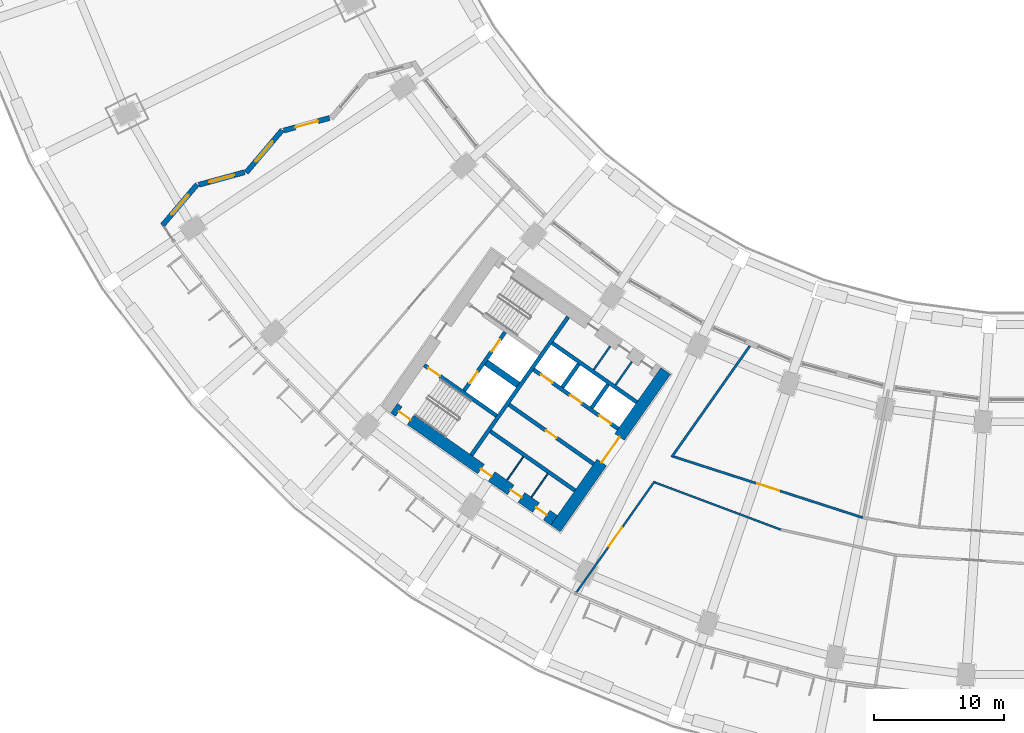
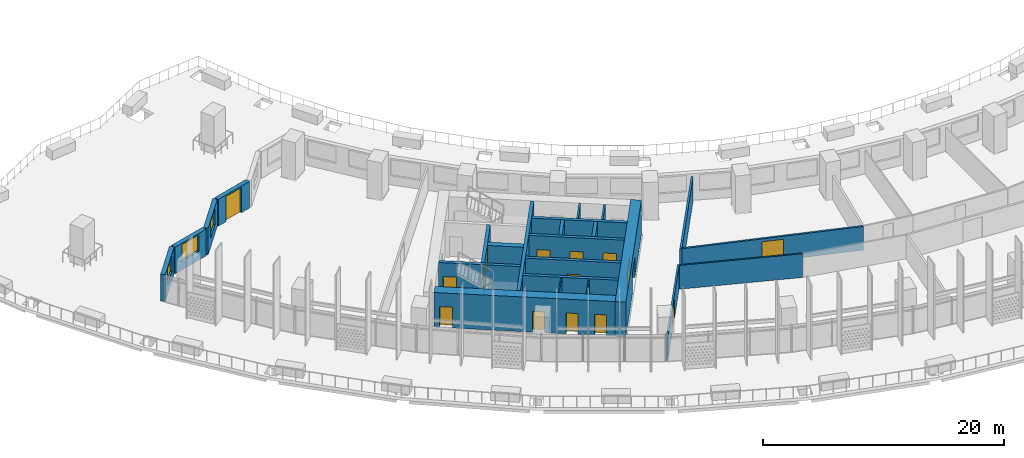
# One storey, part 4 of 35: 24 walls, 15 doors, 3 windows, 18 openings.
"""IFC4 building model written with IfcOpenShell, lengths in metres."""

from ifc_helpers import new_model, si_unit, direction, frame, frame_2d, origin, place, context, subcontext, project, spatial, rectangle, extrude, material, layer, layer_set, type_object, element, fill, save


model = new_model("IFC4")

# Units and contexts
model_context = context("Model", 3, precision=1e-05, world=origin(), true_north=direction((0.0, 1.0)))
body_context = subcontext(model_context, "Body", "Model", "MODEL_VIEW")
ifc_project = project(units=[si_unit("LENGTHUNIT", "METRE"), si_unit("AREAUNIT", "SQUARE_METRE"), si_unit("VOLUMEUNIT", "CUBIC_METRE"), si_unit("PLANEANGLEUNIT", "RADIAN"), si_unit("MASSUNIT", "GRAM", prefix="KILO")], contexts=[model_context])

# Site, building, storey
site_placement = place(None, origin())
site = spatial("IfcSite", under=ifc_project, at=site_placement, CompositionType="ELEMENT")
building_placement = place(site_placement, origin())
building = spatial("IfcBuilding", under=site, at=building_placement, Name="Qamariyya Broadcast Tower", CompositionType="ELEMENT")
storey_placement = place(building_placement, frame((0.0, 0.0, 40.5)))
storey = spatial("IfcBuildingStorey", under=building, at=storey_placement, Name="L06", CompositionType="ELEMENT", Elevation=40.5)

# Wall, opening, door
ifc_material_1 = material(Name="Concrete C70/85", Category="concrete")
ifc_layer_1 = layer(ifc_material_1, 0.89990234375)
ifc_layer_set_1 = layer_set([ifc_layer_1], Name="Core wall 900 mm Concrete C70/85")
wall_type_1 = type_object("IfcWallType", Name="Core wall 900 mm Concrete C70/85", PredefinedType="SHEAR", material=ifc_layer_set_1)
wall_1_placement = place(storey_placement, frame((-36.716796875, -66.3369140625, 0.0), z_axis=(0.0, 0.0, 1.0), x_axis=(0.573577477574, 0.819151315216, 0.0)))
wall_1 = element("IfcWall", 1, at=wall_1_placement, inside=storey, type_object=wall_type_1, Name="k-W-L06-WA", PredefinedType="SHEAR", context=body_context, shape_type="SweptSolid", body=[
    extrude(rectangle(XDim=14.800048828125, YDim=0.89990234375, at=frame_2d((7.39990234375, 0.0))), origin(), (0.0, 0.0, 1.0), 3.5),
])
opening_1_placement = place(wall_1_placement, frame((6.199951171875, 0.0, 0.0)))
opening_1 = element("IfcOpeningElement", 2, at=opening_1_placement, cuts=wall_1, Name="Opening KD3-W1", PredefinedType="OPENING", context=body_context, shape_type="SweptSolid", body=[
    extrude(rectangle(XDim=2.39990234375, YDim=2.10009765625, at=frame_2d((1.199951171875, 1.050048828125))), frame((0.0, 0.4599609375, 0.0), z_axis=(0.0, -1.0, 0.0), x_axis=(1.0, 0.0, 0.0)), (0.0, 0.0, 1.0), 0.919921875),
])
ifc_material_2 = material(Name="Steel fire-resisting door leaf", Category="steel")
door_type_1 = type_object("IfcDoorType", Name="Lift lobby door KD3", OperationType="DOUBLE_DOOR_SINGLE_SWING", PredefinedType="DOOR", material=ifc_material_2)
door_1_placement = place(opening_1_placement, origin())
door_1 = element("IfcDoor", 3, at=door_1_placement, inside=storey, type_object=door_type_1, Name="k-W-L06-WA-D1", OperationType="DOUBLE_DOOR_SINGLE_SWING", OverallHeight=2.10009765625, OverallWidth=2.39990234375, PredefinedType="DOOR", context=body_context, shape_type="SweptSolid", body=[
    extrude(rectangle(XDim=2.39990234375, YDim=2.10009765625, at=frame_2d((1.199951171875, 1.050048828125))), frame((0.0, 0.02490234375, 0.0), z_axis=(0.0, -1.0, 0.0), x_axis=(1.0, 0.0, 0.0)), (0.0, 0.0, 1.0), 0.050048828125),
])
fill(opening_1, door_1)

# Wall, openings, doors
wall_2_placement = place(storey_placement, frame((-36.827392578125, -65.710205078125, 0.0), z_axis=(0.0, 0.0, 1.0), x_axis=(-0.819153391756, 0.573574511963, 0.0)))
wall_2 = element("IfcWall", 4, at=wall_2_placement, inside=storey, type_object=wall_type_1, Name="k-W-L06-WO", PredefinedType="SHEAR", context=body_context, shape_type="SweptSolid", body=[
    extrude(rectangle(XDim=15.04541015625, YDim=0.89990234375, at=frame_2d((7.522705078125, 0.0))), origin(), (0.0, 0.0, 1.0), 3.5),
])
opening_2_placement = place(wall_2_placement, frame((0.699951171875, 0.0, 0.0)))
opening_2 = element("IfcOpeningElement", 5, at=opening_2_placement, cuts=wall_2, Name="Opening KD6-W3", PredefinedType="OPENING", context=body_context, shape_type="SweptSolid", body=[
    extrude(rectangle(XDim=1.0, YDim=2.10009765625, at=frame_2d((0.5, 1.050048828125))), frame((0.0, 0.4599609375, 0.0), z_axis=(0.0, -1.0, 0.0), x_axis=(1.0, 0.0, 0.0)), (0.0, 0.0, 1.0), 0.919921875),
])
opening_3_placement = place(wall_2_placement, frame((3.074951171875, 0.0, 0.0)))
opening_3 = element("IfcOpeningElement", 6, at=opening_3_placement, cuts=wall_2, Name="Opening KD4-W1", PredefinedType="OPENING", context=body_context, shape_type="SweptSolid", body=[
    extrude(rectangle(XDim=1.0, YDim=2.10009765625, at=frame_2d((0.5, 1.050048828125))), frame((0.0, 0.4599609375, 0.0), z_axis=(0.0, -1.0, 0.0), x_axis=(1.0, 0.0, 0.0)), (0.0, 0.0, 1.0), 0.919921875),
])
opening_4_placement = place(wall_2_placement, frame((5.875, 0.0, 0.0)))
opening_4 = element("IfcOpeningElement", 7, at=opening_4_placement, cuts=wall_2, Name="Opening KD4-W2", PredefinedType="OPENING", context=body_context, shape_type="SweptSolid", body=[
    extrude(rectangle(XDim=1.0, YDim=2.10009765625, at=frame_2d((0.5, 1.050048828125))), frame((0.0, 0.4599609375, 0.0), z_axis=(0.0, -1.0, 0.0), x_axis=(1.0, 0.0, 0.0)), (0.0, 0.0, 1.0), 0.919921875),
])
opening_5_placement = place(wall_2_placement, frame((13.495361328125, 0.0, 0.0)))
opening_5 = element("IfcOpeningElement", 8, at=opening_5_placement, cuts=wall_2, Name="Opening KD1-W3", PredefinedType="OPENING", context=body_context, shape_type="SweptSolid", body=[
    extrude(rectangle(XDim=1.10009765625, YDim=2.10009765625, at=frame_2d((0.550048828125, 1.050048828125))), frame((0.0, 0.4599609375, 0.0), z_axis=(0.0, -1.0, 0.0), x_axis=(1.0, 0.0, 0.0)), (0.0, 0.0, 1.0), 0.919921875),
])
door_type_2 = type_object("IfcDoorType", Name="Core room door KD6", OperationType="SINGLE_SWING_LEFT", PredefinedType="DOOR", material=ifc_material_2)
door_2_placement = place(opening_2_placement, origin())
door_2 = element("IfcDoor", 9, at=door_2_placement, inside=storey, type_object=door_type_2, Name="k-W-L06-WO-D9", OperationType="SINGLE_SWING_RIGHT", OverallHeight=2.10009765625, OverallWidth=1.0, PredefinedType="DOOR", context=body_context, shape_type="SweptSolid", body=[
    extrude(rectangle(XDim=1.0, YDim=2.10009765625, at=frame_2d((0.5, 1.050048828125))), frame((0.0, 0.02490234375, 0.0), z_axis=(0.0, -1.0, 0.0), x_axis=(1.0, 0.0, 0.0)), (0.0, 0.0, 1.0), 0.050048828125),
])
fill(opening_2, door_2)
door_type_3 = type_object("IfcDoorType", Name="Riser and plant door KD4", OperationType="SINGLE_SWING_LEFT", PredefinedType="DOOR", material=ifc_material_2)
door_3_placement = place(opening_3_placement, origin())
door_3 = element("IfcDoor", 10, at=door_3_placement, inside=storey, type_object=door_type_3, Name="k-W-L06-WO-D10", OperationType="SINGLE_SWING_LEFT", OverallHeight=2.10009765625, OverallWidth=1.0, PredefinedType="DOOR", context=body_context, shape_type="SweptSolid", body=[
    extrude(rectangle(XDim=1.0, YDim=2.10009765625, at=frame_2d((0.5, 1.050048828125))), frame((0.0, 0.02490234375, 0.0), z_axis=(0.0, -1.0, 0.0), x_axis=(1.0, 0.0, 0.0)), (0.0, 0.0, 1.0), 0.050048828125),
])
fill(opening_3, door_3)
door_4_placement = place(opening_4_placement, origin())
door_4 = element("IfcDoor", 11, at=door_4_placement, inside=storey, type_object=door_type_3, Name="k-W-L06-WO-D11", OperationType="SINGLE_SWING_RIGHT", OverallHeight=2.10009765625, OverallWidth=1.0, PredefinedType="DOOR", context=body_context, shape_type="SweptSolid", body=[
    extrude(rectangle(XDim=1.0, YDim=2.10009765625, at=frame_2d((0.5, 1.050048828125))), frame((0.0, 0.02490234375, 0.0), z_axis=(0.0, -1.0, 0.0), x_axis=(1.0, 0.0, 0.0)), (0.0, 0.0, 1.0), 0.050048828125),
])
fill(opening_4, door_4)
door_type_4 = type_object("IfcDoorType", Name="Stair door KD1", OperationType="SINGLE_SWING_LEFT", PredefinedType="DOOR", material=ifc_material_2)
door_5_placement = place(opening_5_placement, origin())
door_5 = element("IfcDoor", 12, at=door_5_placement, inside=storey, type_object=door_type_4, Name="k-W-L06-WO-D17", OperationType="SINGLE_SWING_LEFT", OverallHeight=2.10009765625, OverallWidth=1.10009765625, PredefinedType="DOOR", context=body_context, shape_type="SweptSolid", body=[
    extrude(rectangle(XDim=1.10009765625, YDim=2.10009765625, at=frame_2d((0.550048828125, 1.050048828125))), frame((0.0, 0.02490234375, 0.0), z_axis=(0.0, -1.0, 0.0), x_axis=(1.0, 0.0, 0.0)), (0.0, 0.0, 1.0), 0.050048828125),
])
fill(opening_5, door_5)

# Wall, opening, door
ifc_material_3 = material(Name="Gypsum board partition")
ifc_layer_2 = layer(ifc_material_3, 0.14990234375)
ifc_layer_set_2 = layer_set([ifc_layer_2], Name="Corridor partition 150 EI 60")
wall_type_2 = type_object("IfcWallType", Name="Corridor partition 150 EI 60", PredefinedType="PARTITIONING", material=ifc_layer_set_2)
wall_3_placement = place(storey_placement, frame((-29.087890625, -62.708251953125, 0.0), z_axis=(0.0, 0.0, 1.0), x_axis=(-0.575411972256, -0.817863718589, 0.0)))
wall_3 = element("IfcWall", 13, at=wall_3_placement, inside=storey, type_object=wall_type_2, Name="Partition L06-002", PredefinedType="PARTITIONING", context=body_context, shape_type="SweptSolid", body=[
    extrude(rectangle(XDim=10.471435546875, YDim=0.14990234375, at=frame_2d((5.23583984375, 0.0))), origin(), (0.0, 0.0, 1.0), 2.39990234375),
])
opening_6_placement = place(wall_3_placement, frame((4.335693359375, 0.0, 0.0)))
opening_6 = element("IfcOpeningElement", 14, at=opening_6_placement, cuts=wall_3, Name="Opening L06-D01", PredefinedType="OPENING", context=body_context, shape_type="SweptSolid", body=[
    extrude(rectangle(XDim=1.800048828125, YDim=2.10009765625, at=frame_2d((0.89990234375, 1.050048828125))), frame((0.0, 0.0849609375, 0.0), z_axis=(0.0, -1.0, 0.0), x_axis=(1.0, 0.0, 0.0)), (0.0, 0.0, 1.0), 0.169921875),
])
ifc_material_4 = material(Name="Timber fire door leaf", Category="wood")
door_type_5 = type_object("IfcDoorType", Name="Double fire door 1800 x 2100 FD60", OperationType="NOTDEFINED", PredefinedType="DOOR", material=ifc_material_4)
door_6_placement = place(opening_6_placement, origin())
door_6 = element("IfcDoor", 15, at=door_6_placement, inside=storey, type_object=door_type_5, Name="Door L06-D01", OperationType="DOUBLE_DOOR_SINGLE_SWING", OverallHeight=2.10009765625, OverallWidth=1.800048828125, PredefinedType="DOOR", context=body_context, shape_type="SweptSolid", body=[
    extrude(rectangle(XDim=1.800048828125, YDim=2.10009765625, at=frame_2d((0.89990234375, 1.050048828125))), frame((0.0, 0.02490234375, 0.0), z_axis=(0.0, -1.0, 0.0), x_axis=(1.0, 0.0, 0.0)), (0.0, 0.0, 1.0), 0.050048828125),
])
fill(opening_6, door_6)

# Walls
wall_4_placement = place(storey_placement, frame((-29.060791015625, -62.7958984375, 0.0), z_axis=(0.0, 0.0, 1.0), x_axis=(0.936222469751, -0.351407864358, 0.0)))
element("IfcWall", 16, at=wall_4_placement, inside=storey, type_object=wall_type_2, Name="Partition L06-003", PredefinedType="PARTITIONING", context=body_context, shape_type="SweptSolid", body=[
    extrude(rectangle(XDim=10.346923828125, YDim=0.14990234375, at=frame_2d((5.17333984375, 0.0))), origin(), (0.0, 0.0, 1.0), 2.39990234375),
])
ifc_material_5 = material(Name="Concrete C60/75", Category="concrete")
ifc_layer_3 = layer(ifc_material_5, 0.5)
ifc_layer_set_3 = layer_set([ifc_layer_3], Name="Fire-fighting lobby divider wall 500 mm Concrete C60/75")
wall_type_3 = type_object("IfcWallType", Name="Fire-fighting lobby divider wall 500 mm Concrete C60/75", PredefinedType="SOLIDWALL", material=ifc_layer_set_3)
wall_5_placement = place(storey_placement, frame((-39.59912109375, -55.28515625, 0.0), z_axis=(0.0, 0.0, 1.0), x_axis=(-0.819136323161, 0.573598887793, 0.0)))
element("IfcWall", 17, at=wall_5_placement, inside=storey, type_object=wall_type_3, Name="k-W-L06-FD", PredefinedType="SOLIDWALL", context=body_context, shape_type="SweptSolid", body=[
    extrude(rectangle(XDim=2.999755859375, YDim=0.5, at=frame_2d((1.5, 0.0))), origin(), (0.0, 0.0, 1.0), 3.5),
])
ifc_material_6 = material(Name="Gypsum board partition on steel studs", Category="steel")
ifc_layer_4 = layer(ifc_material_6, 0.14990234375)
ifc_layer_set_4 = layer_set([ifc_layer_4], Name="Gypsum board partition 150 mm")
wall_type_4 = type_object("IfcWallType", Name="Gypsum board partition 150 mm", PredefinedType="PARTITIONING", material=ifc_layer_set_4)
wall_6_placement = place(storey_placement, frame((-32.0947265625, -55.290283203125, 0.0), z_axis=(0.0, 0.0, 1.0), x_axis=(0.573559170999, 0.819164133348, 0.0)))
element("IfcWall", 18, at=wall_6_placement, inside=storey, type_object=wall_type_4, Name="k-W-L06-NP210", PredefinedType="PARTITIONING", context=body_context, shape_type="SweptSolid", body=[
    extrude(rectangle(XDim=2.19970703125, YDim=0.14990234375, at=frame_2d((1.099853515625, 0.0))), origin(), (0.0, 0.0, 1.0), 3.5),
])
wall_7_placement = place(storey_placement, frame((-33.774169921875, -54.114501953125, 0.0), z_axis=(0.0, 0.0, 1.0), x_axis=(0.573581496053, 0.819148501424, 0.0)))
element("IfcWall", 19, at=wall_7_placement, inside=storey, type_object=wall_type_4, Name="k-W-L06-NP415", PredefinedType="PARTITIONING", context=body_context, shape_type="SweptSolid", body=[
    extrude(rectangle(XDim=2.2001953125, YDim=0.14990234375, at=frame_2d((1.10009765625, 0.0))), origin(), (0.0, 0.0, 1.0), 3.5),
])
ifc_layer_5 = layer(ifc_material_5, 0.300048828125)
ifc_layer_set_5 = layer_set([ifc_layer_5], Name="Lift shaft wall 300 mm Concrete C60/75")
wall_type_5 = type_object("IfcWallType", Name="Lift shaft wall 300 mm Concrete C60/75", PredefinedType="SOLIDWALL", material=ifc_layer_set_5)
wall_8_placement = place(storey_placement, frame((-43.204345703125, -60.69580078125, 0.0), z_axis=(0.0, 0.0, 1.0), x_axis=(0.573571992966, 0.819155155563, 0.0)))
element("IfcWall", 20, at=wall_8_placement, inside=storey, type_object=wall_type_5, Name="k-W-L06-WL", PredefinedType="SOLIDWALL", context=body_context, shape_type="SweptSolid", body=[
    extrude(rectangle(XDim=13.000244140625, YDim=0.300048828125, at=frame_2d((6.5, 0.0))), origin(), (0.0, 0.0, 1.0), 3.5),
])

# Wall, openings, doors
wall_9_placement = place(storey_placement, frame((-31.89453125, -58.66552734375, 0.0), z_axis=(0.0, 0.0, 1.0), x_axis=(-0.819166993208, 0.573555086491, 0.0)))
wall_9 = element("IfcWall", 21, at=wall_9_placement, inside=storey, type_object=wall_type_5, Name="k-W-L06-NF0", PredefinedType="SOLIDWALL", context=body_context, shape_type="SweptSolid", body=[
    extrude(rectangle(XDim=7.9501953125, YDim=0.300048828125, at=frame_2d((3.97509765625, 0.0))), origin(), (0.0, 0.0, 1.0), 3.5),
])
opening_7_placement = place(wall_9_placement, frame((0.675048828125, 0.0, 0.0)))
opening_7 = element("IfcOpeningElement", 22, at=opening_7_placement, cuts=wall_9, Name="Opening LD", PredefinedType="OPENING", context=body_context, shape_type="SweptSolid", body=[
    extrude(rectangle(XDim=1.10009765625, YDim=2.10009765625, at=frame_2d((0.550048828125, 1.050048828125))), frame((0.0, 0.159912109375, 0.0), z_axis=(0.0, -1.0, 0.0), x_axis=(1.0, 0.0, 0.0)), (0.0, 0.0, 1.0), 0.320068359375),
])
opening_8_placement = place(wall_9_placement, frame((3.425048828125, 0.0, 0.0)))
opening_8 = element("IfcOpeningElement", 23, at=opening_8_placement, cuts=wall_9, Name="Opening LD", PredefinedType="OPENING", context=body_context, shape_type="SweptSolid", body=[
    extrude(rectangle(XDim=1.10009765625, YDim=2.10009765625, at=frame_2d((0.550048828125, 1.050048828125))), frame((0.0, 0.159912109375, 0.0), z_axis=(0.0, -1.0, 0.0), x_axis=(1.0, 0.0, 0.0)), (0.0, 0.0, 1.0), 0.320068359375),
])
opening_9_placement = place(wall_9_placement, frame((6.175048828125, 0.0, 0.0)))
opening_9 = element("IfcOpeningElement", 24, at=opening_9_placement, cuts=wall_9, Name="Opening LD", PredefinedType="OPENING", context=body_context, shape_type="SweptSolid", body=[
    extrude(rectangle(XDim=1.10009765625, YDim=2.10009765625, at=frame_2d((0.550048828125, 1.050048828125))), frame((0.0, 0.159912109375, 0.0), z_axis=(0.0, -1.0, 0.0), x_axis=(1.0, 0.0, 0.0)), (0.0, 0.0, 1.0), 0.320068359375),
])
door_type_6 = type_object("IfcDoorType", Name="Lift landing door LD", OperationType="DOUBLE_DOOR_SLIDING", PredefinedType="DOOR", material=ifc_material_2)
door_7_placement = place(opening_7_placement, origin())
door_7 = element("IfcDoor", 25, at=door_7_placement, inside=storey, type_object=door_type_6, Name="k-W-L06-NF0-D2", OperationType="DOUBLE_DOOR_SLIDING", OverallHeight=2.10009765625, OverallWidth=1.10009765625, PredefinedType="DOOR", context=body_context, shape_type="SweptSolid", body=[
    extrude(rectangle(XDim=1.10009765625, YDim=2.10009765625, at=frame_2d((0.550048828125, 1.050048828125))), frame((0.0, 0.02490234375, 0.0), z_axis=(0.0, -1.0, 0.0), x_axis=(1.0, 0.0, 0.0)), (0.0, 0.0, 1.0), 0.050048828125),
])
fill(opening_7, door_7)
door_8_placement = place(opening_8_placement, origin())
door_8 = element("IfcDoor", 26, at=door_8_placement, inside=storey, type_object=door_type_6, Name="k-W-L06-NF0-D3", OperationType="DOUBLE_DOOR_SLIDING", OverallHeight=2.10009765625, OverallWidth=1.10009765625, PredefinedType="DOOR", context=body_context, shape_type="SweptSolid", body=[
    extrude(rectangle(XDim=1.10009765625, YDim=2.10009765625, at=frame_2d((0.550048828125, 1.050048828125))), frame((0.0, 0.02490234375, 0.0), z_axis=(0.0, -1.0, 0.0), x_axis=(1.0, 0.0, 0.0)), (0.0, 0.0, 1.0), 0.050048828125),
])
fill(opening_8, door_8)
door_9_placement = place(opening_9_placement, origin())
door_9 = element("IfcDoor", 27, at=door_9_placement, inside=storey, type_object=door_type_6, Name="k-W-L06-NF0-D4", OperationType="DOUBLE_DOOR_SLIDING", OverallHeight=2.10009765625, OverallWidth=1.10009765625, PredefinedType="DOOR", context=body_context, shape_type="SweptSolid", body=[
    extrude(rectangle(XDim=1.10009765625, YDim=2.10009765625, at=frame_2d((0.550048828125, 1.050048828125))), frame((0.0, 0.02490234375, 0.0), z_axis=(0.0, -1.0, 0.0), x_axis=(1.0, 0.0, 0.0)), (0.0, 0.0, 1.0), 0.050048828125),
])
fill(opening_9, door_9)

# Walls
wall_10_placement = place(storey_placement, frame((-30.460693359375, -56.61767578125, 0.0), z_axis=(0.0, 0.0, 1.0), x_axis=(-0.819142461705, 0.573590121456, 0.0)))
element("IfcWall", 28, at=wall_10_placement, inside=storey, type_object=wall_type_5, Name="k-W-L06-NB0", PredefinedType="SOLIDWALL", context=body_context, shape_type="SweptSolid", body=[
    extrude(rectangle(XDim=7.949951171875, YDim=0.300048828125, at=frame_2d((3.97509765625, 0.0))), origin(), (0.0, 0.0, 1.0), 3.5),
])
wall_11_placement = place(storey_placement, frame((-33.9384765625, -57.051513671875, 0.0), z_axis=(0.0, 0.0, 1.0), x_axis=(0.573581496053, 0.819148501424, 0.0)))
element("IfcWall", 29, at=wall_11_placement, inside=storey, type_object=wall_type_5, Name="k-W-L06-ND0", PredefinedType="SOLIDWALL", context=body_context, shape_type="SweptSolid", body=[
    extrude(rectangle(XDim=2.2001953125, YDim=0.300048828125, at=frame_2d((1.10009765625, 0.0))), origin(), (0.0, 0.0, 1.0), 3.5),
])
wall_12_placement = place(storey_placement, frame((-36.19091796875, -55.47412109375, 0.0), z_axis=(0.0, 0.0, 1.0), x_axis=(0.573507030513, 0.819200638399, 0.0)))
element("IfcWall", 30, at=wall_12_placement, inside=storey, type_object=wall_type_5, Name="k-W-L06-ND1", PredefinedType="SOLIDWALL", context=body_context, shape_type="SweptSolid", body=[
    extrude(rectangle(XDim=2.199951171875, YDim=0.300048828125, at=frame_2d((1.10009765625, 0.0))), origin(), (0.0, 0.0, 1.0), 3.5),
])

# Wall, opening, door
wall_13_placement = place(storey_placement, frame((-33.787353515625, -61.368896484375, 0.0), z_axis=(0.0, 0.0, 1.0), x_axis=(-0.819152564888, 0.573575692858, 0.0)))
wall_13 = element("IfcWall", 31, at=wall_13_placement, inside=storey, type_object=wall_type_5, Name="k-W-L06-SF0", PredefinedType="SOLIDWALL", context=body_context, shape_type="SweptSolid", body=[
    extrude(rectangle(XDim=7.9501953125, YDim=0.300048828125, at=frame_2d((3.97509765625, 0.0))), origin(), (0.0, 0.0, 1.0), 3.5),
])
opening_10_placement = place(wall_13_placement, frame((3.47509765625, 0.0, 0.0)))
opening_10 = element("IfcOpeningElement", 32, at=opening_10_placement, cuts=wall_13, Name="Opening KD6-W1", PredefinedType="OPENING", context=body_context, shape_type="SweptSolid", body=[
    extrude(rectangle(XDim=1.0, YDim=2.10009765625, at=frame_2d((0.5, 1.050048828125))), frame((0.0, 0.159912109375, 0.0), z_axis=(0.0, -1.0, 0.0), x_axis=(1.0, 0.0, 0.0)), (0.0, 0.0, 1.0), 0.320068359375),
])
door_10_placement = place(opening_10_placement, origin())
door_10 = element("IfcDoor", 33, at=door_10_placement, inside=storey, type_object=door_type_2, Name="k-W-L06-SF0-D5", OperationType="SINGLE_SWING_RIGHT", OverallHeight=2.10009765625, OverallWidth=1.0, PredefinedType="DOOR", context=body_context, shape_type="SweptSolid", body=[
    extrude(rectangle(XDim=1.0, YDim=2.10009765625, at=frame_2d((0.5, 1.050048828125))), frame((0.0, 0.02490234375, 0.0), z_axis=(0.0, -1.0, 0.0), x_axis=(1.0, 0.0, 0.0)), (0.0, 0.0, 1.0), 0.050048828125),
])
fill(opening_10, door_10)

# Wall
wall_14_placement = place(storey_placement, frame((-35.22119140625, -63.41650390625, 0.0), z_axis=(0.0, 0.0, 1.0), x_axis=(-0.819166993208, 0.573555086491, 0.0)))
element("IfcWall", 34, at=wall_14_placement, inside=storey, type_object=wall_type_5, Name="k-W-L06-SB0", PredefinedType="SOLIDWALL", context=body_context, shape_type="SweptSolid", body=[
    extrude(rectangle(XDim=7.9501953125, YDim=0.300048828125, at=frame_2d((3.97509765625, 0.0))), origin(), (0.0, 0.0, 1.0), 3.5),
])

# Wall, opening, door
wall_15_placement = place(storey_placement, frame((-41.262451171875, -57.66064453125, 0.0), z_axis=(0.0, 0.0, 1.0), x_axis=(-0.819164398642, 0.573558792102, 0.0)))
wall_15 = element("IfcWall", 35, at=wall_15_placement, inside=storey, type_object=wall_type_5, Name="k-W-L06-SW", PredefinedType="SOLIDWALL", context=body_context, shape_type="SweptSolid", body=[
    extrude(rectangle(XDim=6.795166015625, YDim=0.300048828125, at=frame_2d((3.3974609375, 0.0))), origin(), (0.0, 0.0, 1.0), 3.5),
])
opening_11_placement = place(wall_15_placement, frame((5.3203125, 0.0, 0.0)))
opening_11 = element("IfcOpeningElement", 36, at=opening_11_placement, cuts=wall_15, Name="Opening KD1-W4", PredefinedType="OPENING", context=body_context, shape_type="SweptSolid", body=[
    extrude(rectangle(XDim=1.10009765625, YDim=2.10009765625, at=frame_2d((0.550048828125, 1.050048828125))), frame((0.0, 0.159912109375, 0.0), z_axis=(0.0, -1.0, 0.0), x_axis=(1.0, 0.0, 0.0)), (0.0, 0.0, 1.0), 0.320068359375),
])
door_11_placement = place(opening_11_placement, origin())
door_11 = element("IfcDoor", 37, at=door_11_placement, inside=storey, type_object=door_type_4, Name="k-W-L06-SW-D18", OperationType="SINGLE_SWING_LEFT", OverallHeight=2.10009765625, OverallWidth=1.10009765625, PredefinedType="DOOR", context=body_context, shape_type="SweptSolid", body=[
    extrude(rectangle(XDim=1.10009765625, YDim=2.10009765625, at=frame_2d((0.550048828125, 1.050048828125))), frame((0.0, 0.02490234375, 0.0), z_axis=(0.0, -1.0, 0.0), x_axis=(1.0, 0.0, 0.0)), (0.0, 0.0, 1.0), 0.050048828125),
])
fill(opening_11, door_11)

# Wall, openings, doors
wall_16_placement = place(storey_placement, frame((-43.756591796875, -55.731201171875, 0.0), z_axis=(0.0, 0.0, 1.0), x_axis=(0.573536818435, 0.819179783625, 0.0)))
wall_16 = element("IfcWall", 38, at=wall_16_placement, inside=storey, type_object=wall_type_5, Name="k-W-L06-FF", PredefinedType="SOLIDWALL", context=body_context, shape_type="SweptSolid", body=[
    extrude(rectangle(XDim=5.500244140625, YDim=0.300048828125, at=frame_2d((2.75, 0.0))), origin(), (0.0, 0.0, 1.0), 3.5),
])
opening_12_placement = place(wall_16_placement, frame((0.699951171875, 0.0, 0.0)))
opening_12 = element("IfcOpeningElement", 39, at=opening_12_placement, cuts=wall_16, Name="Opening LD", PredefinedType="OPENING", context=body_context, shape_type="SweptSolid", body=[
    extrude(rectangle(XDim=1.10009765625, YDim=2.10009765625, at=frame_2d((0.550048828125, 1.050048828125))), frame((0.0, 0.159912109375, 0.0), z_axis=(0.0, -1.0, 0.0), x_axis=(1.0, 0.0, 0.0)), (0.0, 0.0, 1.0), 0.320068359375),
])
opening_13_placement = place(wall_16_placement, frame((3.699951171875, 0.0, 0.0)))
opening_13 = element("IfcOpeningElement", 40, at=opening_13_placement, cuts=wall_16, Name="Opening LD", PredefinedType="OPENING", context=body_context, shape_type="SweptSolid", body=[
    extrude(rectangle(XDim=1.10009765625, YDim=2.10009765625, at=frame_2d((0.550048828125, 1.050048828125))), frame((0.0, 0.159912109375, 0.0), z_axis=(0.0, -1.0, 0.0), x_axis=(1.0, 0.0, 0.0)), (0.0, 0.0, 1.0), 0.320068359375),
])
door_12_placement = place(opening_12_placement, origin())
door_12 = element("IfcDoor", 41, at=door_12_placement, inside=storey, type_object=door_type_6, Name="k-W-L06-FF-D12", OperationType="DOUBLE_DOOR_SLIDING", OverallHeight=2.10009765625, OverallWidth=1.10009765625, PredefinedType="DOOR", context=body_context, shape_type="SweptSolid", body=[
    extrude(rectangle(XDim=1.10009765625, YDim=2.10009765625, at=frame_2d((0.550048828125, 1.050048828125))), frame((0.0, 0.02490234375, 0.0), z_axis=(0.0, -1.0, 0.0), x_axis=(1.0, 0.0, 0.0)), (0.0, 0.0, 1.0), 0.050048828125),
])
fill(opening_12, door_12)
door_13_placement = place(opening_13_placement, origin())
door_13 = element("IfcDoor", 42, at=door_13_placement, inside=storey, type_object=door_type_6, Name="k-W-L06-FF-D13", OperationType="DOUBLE_DOOR_SLIDING", OverallHeight=2.10009765625, OverallWidth=1.10009765625, PredefinedType="DOOR", context=body_context, shape_type="SweptSolid", body=[
    extrude(rectangle(XDim=1.10009765625, YDim=2.10009765625, at=frame_2d((0.550048828125, 1.050048828125))), frame((0.0, 0.02490234375, 0.0), z_axis=(0.0, -1.0, 0.0), x_axis=(1.0, 0.0, 0.0)), (0.0, 0.0, 1.0), 0.050048828125),
])
fill(opening_13, door_13)

# Walls
ifc_material_7 = material(Name="Fire-rated gypsum shaft liner on steel studs", Category="steel")
ifc_layer_6 = layer(ifc_material_7, 0.10009765625)
ifc_layer_set_6 = layer_set([ifc_layer_6], Name="Riser wall 100 mm")
wall_type_6 = type_object("IfcWallType", Name="Riser wall 100 mm", PredefinedType="PLUMBINGWALL", material=ifc_layer_set_6)
wall_17_placement = place(storey_placement, frame((-37.314208984375, -62.13427734375, 0.0), z_axis=(0.0, 0.0, 1.0), x_axis=(-0.573633636671, -0.819111989218, 0.0)))
element("IfcWall", 43, at=wall_17_placement, inside=storey, type_object=wall_type_6, Name="k-W-L06-SP245", PredefinedType="PLUMBINGWALL", context=body_context, shape_type="SweptSolid", body=[
    extrude(rectangle(XDim=2.199951171875, YDim=0.10009765625, at=frame_2d((1.10009765625, 0.0))), origin(), (0.0, 0.0, 1.0), 3.5),
])
wall_18_placement = place(storey_placement, frame((-39.1982421875, -60.81494140625, 0.0), z_axis=(0.0, 0.0, 1.0), x_axis=(-0.573581496053, -0.819148501424, 0.0)))
element("IfcWall", 44, at=wall_18_placement, inside=storey, type_object=wall_type_6, Name="k-W-L06-SP475", PredefinedType="PLUMBINGWALL", context=body_context, shape_type="SweptSolid", body=[
    extrude(rectangle(XDim=2.2001953125, YDim=0.10009765625, at=frame_2d((1.10009765625, 0.0))), origin(), (0.0, 0.0, 1.0), 3.5),
])

# Wall, opening, door
ifc_layer_7 = layer(ifc_material_3, 0.179931640625)
ifc_layer_set_7 = layer_set([ifc_layer_7], Name="Studio acoustic partition 180 EI 60")
wall_type_7 = type_object("IfcWallType", Name="Studio acoustic partition 180 EI 60", PredefinedType="PARTITIONING", material=ifc_layer_set_7)
wall_19_placement = place(storey_placement, frame((-27.64111328125, -60.801513671875, 0.0), z_axis=(0.0, 0.0, 1.0), x_axis=(0.951666338559, -0.307133814573, 0.0)))
wall_19 = element("IfcWall", 45, at=wall_19_placement, inside=storey, type_object=wall_type_7, Name="Partition L06-004", PredefinedType="PARTITIONING", context=body_context, shape_type="SweptSolid", body=[
    extrude(rectangle(XDim=15.35107421875, YDim=0.179931640625, at=frame_2d((7.675537109375, 0.0))), origin(), (0.0, 0.0, 1.0), 2.39990234375),
])
opening_14_placement = place(wall_19_placement, frame((6.775634765625, 0.0, 0.0)))
opening_14 = element("IfcOpeningElement", 46, at=opening_14_placement, cuts=wall_19, Name="Opening L06-D05", PredefinedType="OPENING", context=body_context, shape_type="SweptSolid", body=[
    extrude(rectangle(XDim=1.800048828125, YDim=2.10009765625, at=frame_2d((0.89990234375, 1.050048828125))), frame((0.0, 0.099853515625, 0.0), z_axis=(0.0, -1.0, 0.0), x_axis=(1.0, 0.0, 0.0)), (0.0, 0.0, 1.0), 0.199951171875),
])
door_14_placement = place(opening_14_placement, origin())
door_14 = element("IfcDoor", 47, at=door_14_placement, inside=storey, type_object=door_type_5, Name="Door L06-D05", OperationType="DOUBLE_DOOR_SINGLE_SWING", OverallHeight=2.10009765625, OverallWidth=1.800048828125, PredefinedType="DOOR", context=body_context, shape_type="SweptSolid", body=[
    extrude(rectangle(XDim=1.800048828125, YDim=2.10009765625, at=frame_2d((0.89990234375, 1.050048828125))), frame((0.0, 0.02490234375, 0.0), z_axis=(0.0, -1.0, 0.0), x_axis=(1.0, 0.0, 0.0)), (0.0, 0.0, 1.0), 0.050048828125),
])
fill(opening_14, door_14)

# Wall
wall_20_placement = place(storey_placement, frame((-21.748291015625, -52.2763671875, 0.0), z_axis=(0.0, 0.0, 1.0), x_axis=(-0.575416654348, -0.817860424461, 0.0)))
element("IfcWall", 48, at=wall_20_placement, inside=storey, type_object=wall_type_7, Name="Partition L06-005", PredefinedType="PARTITIONING", context=body_context, shape_type="SweptSolid", body=[
    extrude(rectangle(XDim=10.479736328125, YDim=0.179931640625, at=frame_2d((5.23974609375, 0.0))), origin(), (0.0, 0.0, 1.0), 2.39990234375),
])

# Wall, opening, door
ifc_material_8 = material(Name="Terracotta", Category="masonry")
ifc_layer_8 = layer(ifc_material_8, 0.39990234375)
ifc_layer_set_8 = layer_set([ifc_layer_8], Name="Terracotta clad wall 400")
wall_type_8 = type_object("IfcWallType", Name="Terracotta clad wall 400", PredefinedType="SOLIDWALL", material=ifc_layer_set_8)
wall_21_placement = place(storey_placement, frame((-54.12890625, -34.727294921875, 0.0), z_axis=(0.0, 0.0, 1.0), x_axis=(-0.96440148639, -0.26444238134, 0.0)))
wall_21 = element("IfcWall", 49, at=wall_21_placement, inside=storey, type_object=wall_type_8, Name="e-wl-L06-capW2", PredefinedType="SOLIDWALL", context=body_context, shape_type="SweptSolid", body=[
    extrude(rectangle(XDim=3.647705078125, YDim=0.39990234375, at=frame_2d((1.82373046875, 0.0))), origin(), (0.0, 0.0, 1.0), 2.699951171875),
])
opening_15_placement = place(wall_21_placement, frame((0.923828125, 0.0, 0.0)))
opening_15 = element("IfcOpeningElement", 50, at=opening_15_placement, cuts=wall_21, Name="Opening ED5", PredefinedType="OPENING", context=body_context, shape_type="SweptSolid", body=[
    extrude(rectangle(XDim=1.800048828125, YDim=2.550048828125, at=frame_2d((0.89990234375, 1.27490234375))), frame((0.0, 0.2099609375, 0.0), z_axis=(0.0, -1.0, 0.0), x_axis=(1.0, 0.0, 0.0)), (0.0, 0.0, 1.0), 0.419921875),
])
ifc_material_9 = material(Name="Toughened glass in stainless steel frame", Category="steel")
door_type_7 = type_object("IfcDoorType", Name="Terrace door 1800 x 2550", OperationType="DOUBLE_DOOR_DOUBLE_SWING", PredefinedType="DOOR", material=ifc_material_9)
door_15_placement = place(opening_15_placement, origin())
door_15 = element("IfcDoor", 51, at=door_15_placement, inside=storey, type_object=door_type_7, Name="e-ed-L06-terraceW", OperationType="DOUBLE_DOOR_DOUBLE_SWING", OverallHeight=2.550048828125, OverallWidth=1.800048828125, PredefinedType="DOOR", context=body_context, shape_type="SweptSolid", body=[
    extrude(rectangle(XDim=1.800048828125, YDim=2.550048828125, at=frame_2d((0.89990234375, 1.27490234375))), frame((0.0, 0.02490234375, 0.0), z_axis=(0.0, -1.0, 0.0), x_axis=(1.0, 0.0, 0.0)), (0.0, 0.0, 1.0), 0.050048828125),
])
fill(opening_15, door_15)

# Wall, opening, window
wall_22_placement = place(storey_placement, frame((-57.771728515625, -35.661865234375, 0.0), z_axis=(0.0, 0.0, 1.0), x_axis=(-0.647080603153, -0.762421597952, 0.0)))
wall_22 = element("IfcWall", 52, at=wall_22_placement, inside=storey, type_object=wall_type_8, Name="e-wl-L06-capW3", PredefinedType="SOLIDWALL", context=body_context, shape_type="SweptSolid", body=[
    extrude(rectangle(XDim=4.294677734375, YDim=0.39990234375, at=frame_2d((2.1474609375, 0.0))), origin(), (0.0, 0.0, 1.0), 2.699951171875),
])
opening_16_placement = place(wall_22_placement, frame((1.147216796875, 0.0, 0.89990234375)))
opening_16 = element("IfcOpeningElement", 53, at=opening_16_placement, cuts=wall_22, Name="Opening W2", PredefinedType="OPENING", context=body_context, shape_type="SweptSolid", body=[
    extrude(rectangle(XDim=2.0, YDim=1.64990234375, at=frame_2d((1.0, 0.824951171875))), frame((0.0, 0.2099609375, 0.0), z_axis=(0.0, -1.0, 0.0), x_axis=(1.0, 0.0, 0.0)), (0.0, 0.0, 1.0), 0.419921875),
])
ifc_material_10 = material(Name="Clear low-e double glazed unit in aluminium frame", Category="aluminium")
window_type = type_object("IfcWindowType", Name="Facade window 2000 x 1650", PartitioningType="SINGLE_PANEL", PredefinedType="WINDOW", material=ifc_material_10)
window_1_placement = place(opening_16_placement, origin())
window_1 = element("IfcWindow", 54, at=window_1_placement, inside=storey, type_object=window_type, Name="e-w-L06-capW3", OverallHeight=1.64990234375, OverallWidth=2.0, PartitioningType="SINGLE_PANEL", PredefinedType="WINDOW", context=body_context, shape_type="SweptSolid", body=[
    extrude(rectangle(XDim=2.0, YDim=1.64990234375, at=frame_2d((1.0, 0.824951171875))), frame((0.0, 0.030029296875, 0.0), z_axis=(0.0, -1.0, 0.0), x_axis=(1.0, 0.0, 0.0)), (0.0, 0.0, 1.0), 0.06005859375),
])
fill(opening_16, window_1)

wall_23_placement = place(storey_placement, frame((-60.675537109375, -38.906005859375, 0.0), z_axis=(0.0, 0.0, 1.0), x_axis=(-0.964369003388, -0.264560815888, 0.0)))
wall_23 = element("IfcWall", 55, at=wall_23_placement, inside=storey, type_object=wall_type_8, Name="e-wl-L06-capW4", PredefinedType="SOLIDWALL", context=body_context, shape_type="SweptSolid", body=[
    extrude(rectangle(XDim=3.64892578125, YDim=0.39990234375, at=frame_2d((1.824462890625, 0.0))), origin(), (0.0, 0.0, 1.0), 2.699951171875),
])
opening_17_placement = place(wall_23_placement, frame((0.824462890625, 0.0, 0.89990234375)))
opening_17 = element("IfcOpeningElement", 56, at=opening_17_placement, cuts=wall_23, Name="Opening W2", PredefinedType="OPENING", context=body_context, shape_type="SweptSolid", body=[
    extrude(rectangle(XDim=2.0, YDim=1.64990234375, at=frame_2d((1.0, 0.824951171875))), frame((0.0, 0.2099609375, 0.0), z_axis=(0.0, -1.0, 0.0), x_axis=(1.0, 0.0, 0.0)), (0.0, 0.0, 1.0), 0.419921875),
])
window_2_placement = place(opening_17_placement, origin())
window_2 = element("IfcWindow", 57, at=window_2_placement, inside=storey, type_object=window_type, Name="e-w-L06-capW4", OverallHeight=1.64990234375, OverallWidth=2.0, PartitioningType="SINGLE_PANEL", PredefinedType="WINDOW", context=body_context, shape_type="SweptSolid", body=[
    extrude(rectangle(XDim=2.0, YDim=1.64990234375, at=frame_2d((1.0, 0.824951171875))), frame((0.0, 0.030029296875, 0.0), z_axis=(0.0, -1.0, 0.0), x_axis=(1.0, 0.0, 0.0)), (0.0, 0.0, 1.0), 0.06005859375),
])
fill(opening_17, window_2)

wall_24_placement = place(storey_placement, frame((-64.3193359375, -39.84130859375, 0.0), z_axis=(0.0, 0.0, 1.0), x_axis=(-0.647056758803, -0.762441834429, 0.0)))
wall_24 = element("IfcWall", 58, at=wall_24_placement, inside=storey, type_object=wall_type_8, Name="e-wl-L06-capW5", PredefinedType="SOLIDWALL", context=body_context, shape_type="SweptSolid", body=[
    extrude(rectangle(XDim=4.121826171875, YDim=0.39990234375, at=frame_2d((2.06103515625, 0.0))), origin(), (0.0, 0.0, 1.0), 2.699951171875),
])
opening_18_placement = place(wall_24_placement, frame((1.060791015625, 0.0, 0.89990234375)))
opening_18 = element("IfcOpeningElement", 59, at=opening_18_placement, cuts=wall_24, Name="Opening W2", PredefinedType="OPENING", context=body_context, shape_type="SweptSolid", body=[
    extrude(rectangle(XDim=2.0, YDim=1.64990234375, at=frame_2d((1.0, 0.824951171875))), frame((0.0, 0.2099609375, 0.0), z_axis=(0.0, -1.0, 0.0), x_axis=(1.0, 0.0, 0.0)), (0.0, 0.0, 1.0), 0.419921875),
])
window_3_placement = place(opening_18_placement, origin())
window_3 = element("IfcWindow", 60, at=window_3_placement, inside=storey, type_object=window_type, Name="e-w-L06-capW5", OverallHeight=1.64990234375, OverallWidth=2.0, PartitioningType="SINGLE_PANEL", PredefinedType="WINDOW", context=body_context, shape_type="SweptSolid", body=[
    extrude(rectangle(XDim=2.0, YDim=1.64990234375, at=frame_2d((1.0, 0.824951171875))), frame((0.0, 0.030029296875, 0.0), z_axis=(0.0, -1.0, 0.0), x_axis=(1.0, 0.0, 0.0)), (0.0, 0.0, 1.0), 0.06005859375),
])
fill(opening_18, window_3)

save(model, "model.ifc")
